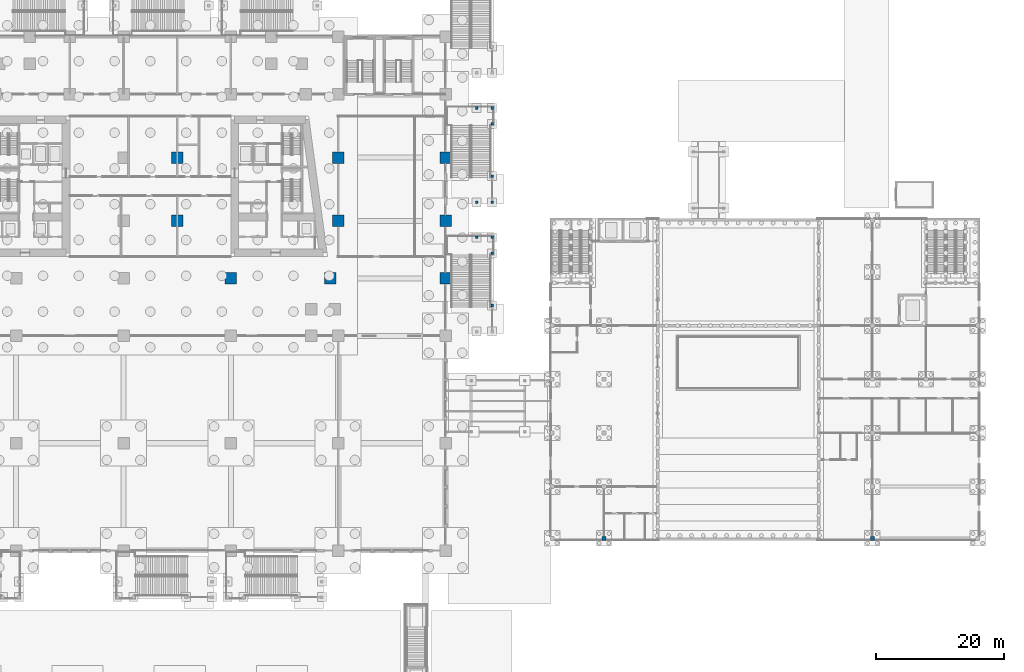
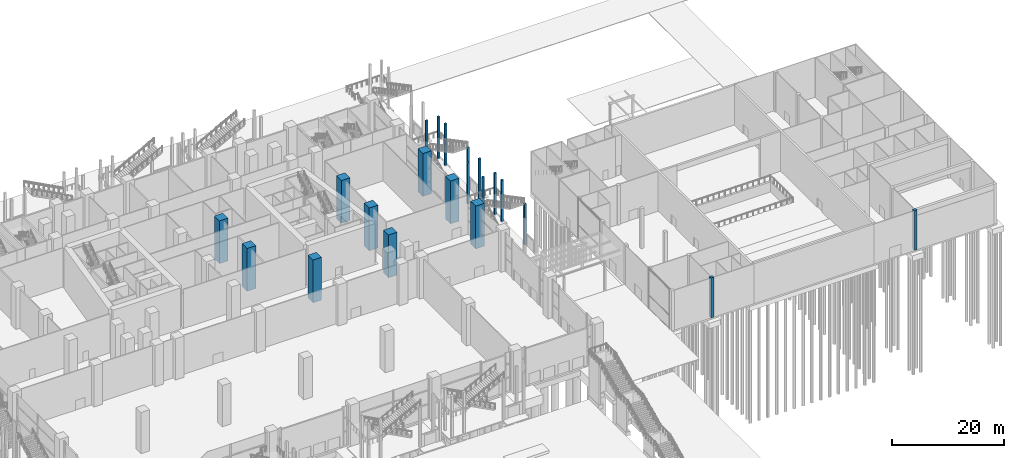
# One storey, part 9 of 72: 21 columns.
"""IFC4 building model written with IfcOpenShell, lengths in metres."""

from ifc_helpers import new_model, si_unit, direction, frame, origin, origin_2d, place, context, subcontext, project, spatial, rectangle, extrude, material, material_profile, profile_set, type_object, element, save


model = new_model("IFC4")

# Units and contexts
model_context = context("Model", 3, precision=1e-05, world=origin(), true_north=direction((0.0, 1.0)))
body_context = subcontext(model_context, "Body", "Model", "MODEL_VIEW")
ifc_project = project(units=[si_unit("LENGTHUNIT", "METRE"), si_unit("AREAUNIT", "SQUARE_METRE"), si_unit("VOLUMEUNIT", "CUBIC_METRE"), si_unit("PLANEANGLEUNIT", "RADIAN"), si_unit("MASSUNIT", "GRAM", prefix="KILO")], contexts=[model_context])

# Site, building, storey
site_placement = place(None, origin())
site = spatial("IfcSite", under=ifc_project, at=site_placement, CompositionType="ELEMENT")
building_placement = place(site_placement, origin())
building = spatial("IfcBuilding", under=site, at=building_placement, Name="Candeia Pilgrim Tower and Theatre", CompositionType="ELEMENT")
storey_placement = place(building_placement, origin())
storey = spatial("IfcBuildingStorey", under=building, at=storey_placement, Name="L00", CompositionType="ELEMENT", Elevation=0.0)

# Columns
ifc_material_1 = material(Name="Concrete C40/50", Category="concrete")
ifc_material_profile_1 = material_profile(ifc_material_1, rectangle(XDim=0.39990234375, YDim=0.39990234375, at=origin_2d()))
ifc_profile_set_1 = profile_set([ifc_material_profile_1], Name="Concrete C40/50")
column_type_1 = type_object("IfcColumnType", Name="Escape stair column RC 400x400", PredefinedType="COLUMN", material=ifc_profile_set_1)
column_placement = place(storey_placement, frame((166.89990234375, 102.75, -0.199951171875), z_axis=(0.0, 0.0, 1.0), x_axis=(1.0, 0.0, 0.0)))
element("IfcColumn", 1, at=column_placement, inside=storey, type_object=column_type_1, Name="External escape stair ES1 column N2.1", PredefinedType="COLUMN", context=body_context, shape_type="SweptSolid", body=[
    extrude(rectangle(XDim=0.39990234375, YDim=0.39990234375, at=origin_2d()), origin(), (0.0, 0.0, 1.0), 9.0),
])
for number, where, z_axis, x_axis, name in (
    (2, (166.89990234375, 110.909912109375, -0.199951171875), (0.0, 0.0, 1.0), (1.0, 0.0, 0.0), "External escape stair ES1 column F1.1"),
    (3, (166.89990234375, 113.409912109375, -0.199951171875), (0.0, 0.0, 1.0), (1.0, 0.0, 0.0), "External escape stair ES1 column F2.1"),
    (4, (164.47509765625, 113.409912109375, -0.199951171875), (0.0, 0.0, 1.0), (1.0, 0.0, 0.0), "External escape stair ES1 column F3.1"),
):
    element("IfcColumn", number, at=place(storey_placement, frame(where, z_axis=z_axis, x_axis=x_axis)), inside=storey, type_object=column_type_1, Name=name, PredefinedType="COLUMN", context=body_context, shape_type="SweptSolid", body=[
        extrude(rectangle(XDim=0.39990234375, YDim=0.39990234375, at=origin_2d()), origin(), (0.0, 0.0, 1.0), 9.199951171875),
    ])
for number, where, z_axis, x_axis, name in (
    (5, (166.89990234375, 118.89990234375, -0.199951171875), (0.0, 0.0, 1.0), (1.0, 0.0, 0.0), "External escape stair ES14 column N1.1"),
    (6, (166.89990234375, 123.0, -0.199951171875), (0.0, 0.0, 1.0), (1.0, 0.0, 0.0), "External escape stair ES14 column N2.1"),
    (7, (164.47509765625, 118.89990234375, -0.199951171875), (0.0, 0.0, 1.0), (1.0, 0.0, 0.0), "External escape stair ES14 column N3.1"),
):
    element("IfcColumn", number, at=place(storey_placement, frame(where, z_axis=z_axis, x_axis=x_axis)), inside=storey, type_object=column_type_1, Name=name, PredefinedType="COLUMN", context=body_context, shape_type="SweptSolid", body=[
        extrude(rectangle(XDim=0.39990234375, YDim=0.39990234375, at=origin_2d()), origin(), (0.0, 0.0, 1.0), 9.0),
    ])
for number, where, z_axis, x_axis, name in (
    (8, (166.89990234375, 131.159912109375, -0.199951171875), (0.0, 0.0, 1.0), (1.0, 0.0, 0.0), "External escape stair ES14 column F1.1"),
    (9, (166.89990234375, 133.659912109375, -0.199951171875), (0.0, 0.0, 1.0), (1.0, 0.0, 0.0), "External escape stair ES14 column F2.1"),
    (10, (164.47509765625, 133.659912109375, -0.199951171875), (0.0, 0.0, 1.0), (1.0, 0.0, 0.0), "External escape stair ES14 column F3.1"),
):
    element("IfcColumn", number, at=place(storey_placement, frame(where, z_axis=z_axis, x_axis=x_axis)), inside=storey, type_object=column_type_1, Name=name, PredefinedType="COLUMN", context=body_context, shape_type="SweptSolid", body=[
        extrude(rectangle(XDim=0.39990234375, YDim=0.39990234375, at=origin_2d()), origin(), (0.0, 0.0, 1.0), 9.199951171875),
    ])
ifc_material_2 = material(Name="Concrete C80/95", Category="concrete")
ifc_material_profile_2 = material_profile(ifc_material_2, rectangle(XDim=1.800048828125, YDim=1.800048828125, at=origin_2d()))
ifc_profile_set_2 = profile_set([ifc_material_profile_2], Name="Concrete C80/95")
column_type_2 = type_object("IfcColumnType", Name="RC 1800x1800 C80/95", PredefinedType="COLUMN", material=ifc_profile_set_2)
for number, where, z_axis, x_axis, name in (
    (11, (126.0, 107.0, -0.35009765625), (0.0, 0.0, 1.0), (1.0, 0.0, 0.0), "Column P+0420+0090"),
    (12, (141.58837890625, 107.0, -0.35009765625), (0.0, 0.0, 1.0), (1.0, 0.0, 0.0), "Column P+0576+0090"),
    (13, (159.60009765625, 107.0, -0.35009765625), (0.0, 0.0, 1.0), (1.0, 0.0, 0.0), "Column P+0756+0090"),
    (14, (117.60009765625, 116.0, -0.35009765625), (0.0, 0.0, 1.0), (1.0, 0.0, 0.0), "Column P+0336+0180"),
    (15, (142.800048828125, 116.0, -0.35009765625), (0.0, 0.0, 1.0), (1.0, 0.0, 0.0), "Column P+0588+0180"),
    (16, (159.60009765625, 116.0, -0.35009765625), (0.0, 0.0, 1.0), (1.0, 0.0, 0.0), "Column P+0756+0180"),
    (17, (117.60009765625, 125.89990234375, -0.35009765625), (0.0, 0.0, 1.0), (1.0, 0.0, 0.0), "Column P+0336+0279"),
    (18, (142.800048828125, 125.89990234375, -0.35009765625), (0.0, 0.0, 1.0), (1.0, 0.0, 0.0), "Column P+0588+0279"),
    (19, (159.60009765625, 125.89990234375, -0.35009765625), (0.0, 0.0, 1.0), (1.0, 0.0, 0.0), "Column P+0756+0279"),
):
    element("IfcColumn", number, at=place(storey_placement, frame(where, z_axis=z_axis, x_axis=x_axis)), inside=storey, type_object=column_type_2, Name=name, PredefinedType="COLUMN", context=body_context, shape_type="SweptSolid", body=[
        extrude(rectangle(XDim=1.800048828125, YDim=1.800048828125, at=origin_2d()), origin(), (0.0, 0.0, 1.0), 9.35009765625),
    ])
ifc_material_profile_3 = material_profile(ifc_material_1, rectangle(XDim=0.60009765625, YDim=0.60009765625, at=origin_2d()))
ifc_profile_set_3 = profile_set([ifc_material_profile_3], Name="Concrete C40/50")
column_type_3 = type_object("IfcColumnType", Name="Theatre column 600x600", PredefinedType="COLUMN", material=ifc_profile_set_3)
for number, where, z_axis, x_axis, name in (
    (20, (184.39990234375, 66.300048828125, 0.0), (0.0, 0.0, 1.0), (1.0, 0.0, 0.0), "Column TC-A2 L00"),
    (21, (226.39990234375, 66.300048828125, 0.0), (0.0, 0.0, 1.0), (1.0, 0.0, 0.0), "Column TC-A7 L00"),
):
    element("IfcColumn", number, at=place(storey_placement, frame(where, z_axis=z_axis, x_axis=x_axis)), inside=storey, type_object=column_type_3, Name=name, PredefinedType="COLUMN", context=body_context, shape_type="SweptSolid", body=[
        extrude(rectangle(XDim=0.60009765625, YDim=0.60009765625, at=origin_2d()), origin(), (0.0, 0.0, 1.0), 8.699951171875),
    ])

save(model, "model.ifc")
